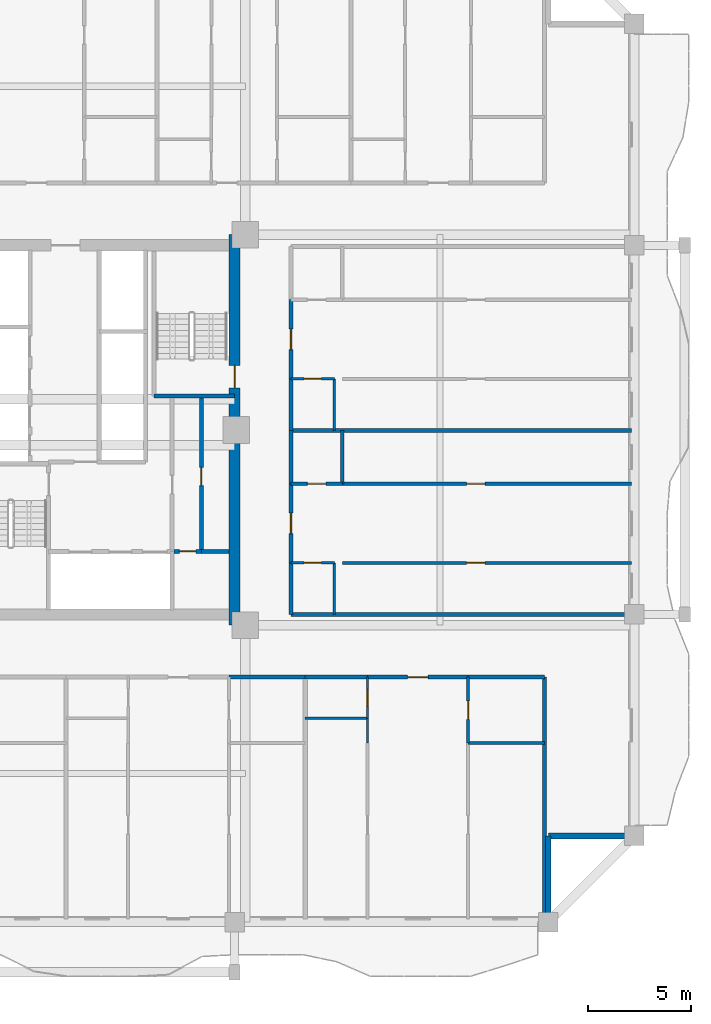
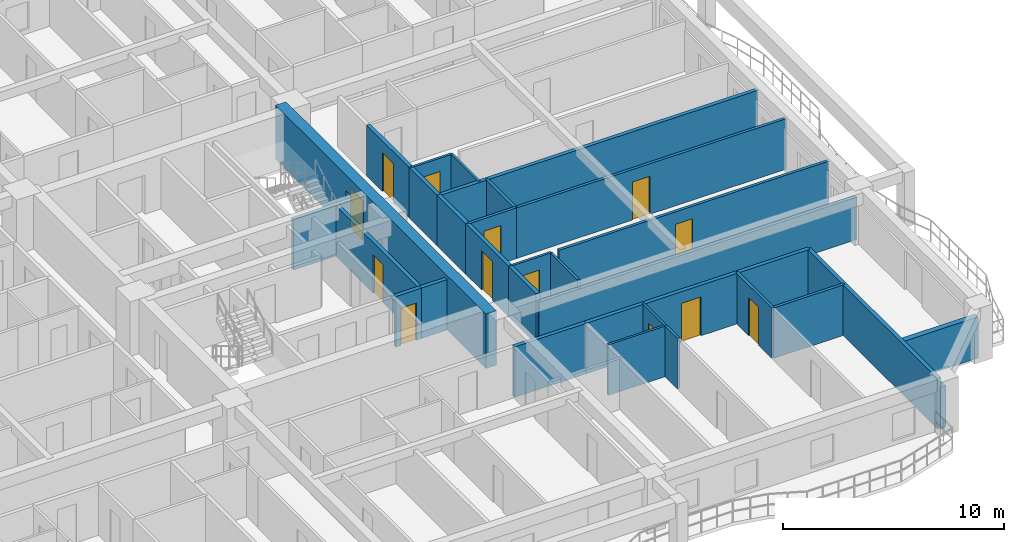
# One storey, part 5 of 14: 32 walls, 13 doors, 13 openings.
"""IFC4 building model written with IfcOpenShell, lengths in metres."""

from ifc_helpers import new_model, si_unit, direction, frame, frame_2d, origin, place, context, subcontext, project, spatial, rectangle, extrude, source, transform, mapped, material, layer, layer_set, type_object, element, fill, save


model = new_model("IFC4")

# Units and contexts
model_context = context("Model", 3, precision=1e-05, world=origin(), true_north=direction((0.0, 1.0)))
body_context = subcontext(model_context, "Body", "Model", "MODEL_VIEW")
ifc_project = project(units=[si_unit("LENGTHUNIT", "METRE"), si_unit("AREAUNIT", "SQUARE_METRE"), si_unit("VOLUMEUNIT", "CUBIC_METRE"), si_unit("PLANEANGLEUNIT", "RADIAN"), si_unit("MASSUNIT", "GRAM", prefix="KILO")], contexts=[model_context])

# Site, building, storey
site_placement = place(None, origin())
site = spatial("IfcSite", under=ifc_project, at=site_placement, CompositionType="ELEMENT")
building_placement = place(site_placement, origin())
building = spatial("IfcBuilding", under=site, at=building_placement, Name="Saelheon Loggia Tower", CompositionType="ELEMENT")
storey_placement = place(building_placement, frame((0.0, 0.0, 86.85009765625)))
storey = spatial("IfcBuildingStorey", under=building, at=storey_placement, Name="L27", CompositionType="ELEMENT", Elevation=86.85009765625)

# Wall, opening, door
ifc_material_1 = material(Name="Concrete C50/60", Category="concrete")
ifc_layer_1 = layer(ifc_material_1, 0.550048828125)
ifc_layer_set_1 = layer_set([ifc_layer_1], Name="Concrete C50/60")
wall_type_1 = type_object("IfcWallType", Name="Wall_CoreShear_550", PredefinedType="SHEAR", material=ifc_layer_set_1)
wall_1_placement = place(storey_placement, frame((44.5, 17.47998046875, 0.0), z_axis=(0.0, 0.0, 1.0), x_axis=(0.0, 1.0, 0.0)))
wall_1 = element("IfcWall", 1, at=wall_1_placement, inside=storey, type_object=wall_type_1, Name="L27 Core Shear Wall East", PredefinedType="SHEAR", context=body_context, shape_type="SweptSolid", body=[
    extrude(rectangle(XDim=19.0400390625, YDim=0.550048828125, at=frame_2d((9.52001953125, 0.0))), origin(), (0.0, 0.0, 1.0), 3.0),
])
opening_1_placement = place(wall_1_placement, frame((12.670166015625, 0.0, 0.0), z_axis=(0.0, 0.0, 1.0), x_axis=(-1.0, 0.0, 0.0)))
opening_1 = element("IfcOpeningElement", 2, at=opening_1_placement, cuts=wall_1, Name="Opening D-FD2", PredefinedType="OPENING", context=body_context, shape_type="SweptSolid", body=[
    extrude(rectangle(XDim=1.10009765625, YDim=2.14990234375, at=frame_2d((0.550048828125, 1.074951171875))), frame((0.0, 0.287109375, 0.0), z_axis=(0.0, -1.0, 0.0), x_axis=(1.0, 0.0, 0.0)), (0.0, 0.0, 1.0), 0.573974609375),
])
ifc_material_2 = material(Name="Galvanised Steel Fire Door", Category="steel")
door_type_1 = type_object("IfcDoorType", Name="Door_Fire_FD60_1100", OperationType="NOTDEFINED", PredefinedType="DOOR", material=ifc_material_2)
shared_shape_1 = source(origin(), body_context, "Body", "SweptSolid", [
    extrude(rectangle(XDim=1.10009765625, YDim=2.14990234375, at=frame_2d((0.550048828125, 1.074951171875))), frame((0.0, 0.02490234375, 0.0), z_axis=(0.0, -1.0, 0.0), x_axis=(1.0, 0.0, 0.0)), (0.0, 0.0, 1.0), 0.050048828125),
])
door_1_placement = place(opening_1_placement, origin())
door_1 = element("IfcDoor", 3, at=door_1_placement, inside=storey, type_object=door_type_1, Name="L27 Stair ST2 Corridor Door", OperationType="SINGLE_SWING_RIGHT", OverallHeight=2.14990234375, OverallWidth=1.10009765625, PredefinedType="DOOR", context=body_context, shape_type="MappedRepresentation", body=[
    mapped(shared_shape_1, transform((0.0, 0.0, 0.0), scale=1.0)),
])
fill(opening_1, door_1)

# Walls
ifc_material_3 = material(Name="Architectural Precast Concrete C40/50", Category="concrete")
ifc_layer_2 = layer(ifc_material_3, 0.280029296875)
ifc_layer_set_2 = layer_set([ifc_layer_2], Name="Architectural Precast Concrete C40/50")
wall_type_2 = type_object("IfcWallType", Name="Wall_Ext_Loggia_280", PredefinedType="SOLIDWALL", material=ifc_layer_set_2)
for number, where, z_axis, x_axis, name in (
    (4, (59.800048828125, 3.080078125, 0.0), (0.0, 0.0, 1.0), (0.0, 1.0, 0.0), "L27 Corner Notch Precast Wall SE1"),
    (5, (59.800048828125, 7.199951171875, 0.0), (0.0, 0.0, 1.0), (1.0, 0.0, 0.0), "L27 Corner Notch Precast Wall SE2"),
):
    element("IfcWall", number, at=place(storey_placement, frame(where, z_axis=z_axis, x_axis=x_axis)), inside=storey, type_object=wall_type_2, Name=name, PredefinedType="SOLIDWALL", context=body_context, shape_type="SweptSolid", body=[
        extrude(rectangle(XDim=4.119873046875, YDim=0.280029296875, at=frame_2d((2.06005859375, 0.0))), origin(), (0.0, 0.0, 1.0), 2.27978515625),
    ])
ifc_material_4 = material(Name="Lightweight Autoclaved Aerated Concrete Block and Acoustic Gypsum", Category="concrete")
ifc_layer_3 = layer(ifc_material_4, 0.14990234375)
ifc_layer_set_3 = layer_set([ifc_layer_3], Name="Lightweight Autoclaved Aerated Concrete Block and Acoustic Gypsum")
wall_type_3 = type_object("IfcWallType", Name="Wall_Part_150", PredefinedType="PARTITIONING", material=ifc_layer_set_3)
wall_2_placement = place(storey_placement, frame((55.884033203125, 11.72998046875, 0.0), z_axis=(0.0, 0.0, 1.0), x_axis=(1.0, 0.0, 0.0)))
element("IfcWall", 6, at=wall_2_placement, inside=storey, type_object=wall_type_3, Name="L27 S Partition V40", PredefinedType="PARTITIONING", context=body_context, shape_type="SweptSolid", body=[
    extrude(rectangle(XDim=3.736083984375, YDim=0.14990234375, at=frame_2d((1.8681640625, 0.0))), origin(), (0.0, 0.0, 1.0), 2.789794921875),
])

# Wall, opening, door
wall_3_placement = place(storey_placement, frame((55.884033203125, 14.949951171875, 0.0), z_axis=(0.0, 0.0, 1.0), x_axis=(0.0, -1.0, 0.0)))
wall_3 = element("IfcWall", 7, at=wall_3_placement, inside=storey, type_object=wall_type_3, Name="L27 S Partition U44", PredefinedType="PARTITIONING", context=body_context, shape_type="SweptSolid", body=[
    extrude(rectangle(XDim=3.219970703125, YDim=0.14990234375, at=frame_2d((1.60986328125, 0.0))), origin(), (0.0, 0.0, 1.0), 2.789794921875),
])
opening_2_placement = place(wall_3_placement, frame((1.159912109375, 0.0, 0.0)))
opening_2 = element("IfcOpeningElement", 8, at=opening_2_placement, cuts=wall_3, Name="Opening D-IN2", PredefinedType="OPENING", context=body_context, shape_type="SweptSolid", body=[
    extrude(rectangle(XDim=0.89990234375, YDim=2.10009765625, at=frame_2d((0.449951171875, 1.050048828125))), frame((0.0, 0.0869140625, 0.0), z_axis=(0.0, -1.0, 0.0), x_axis=(1.0, 0.0, 0.0)), (0.0, 0.0, 1.0), 0.173828125),
])
ifc_material_5 = material(Name="Engineered Oak Flush Door", Category="timber")
door_type_2 = type_object("IfcDoorType", Name="Door_Int_900", OperationType="NOTDEFINED", PredefinedType="DOOR", material=ifc_material_5)
shared_shape_2 = source(origin(), body_context, "Body", "SweptSolid", [
    extrude(rectangle(XDim=0.89990234375, YDim=2.10009765625, at=frame_2d((0.449951171875, 1.050048828125))), frame((0.0, 0.02490234375, 0.0), z_axis=(0.0, -1.0, 0.0), x_axis=(1.0, 0.0, 0.0)), (0.0, 0.0, 1.0), 0.050048828125),
])
door_2_placement = place(opening_2_placement, origin())
door_2 = element("IfcDoor", 9, at=door_2_placement, inside=storey, type_object=door_type_2, Name="Unit U04 Kitchen Door", OperationType="SINGLE_SWING_LEFT", OverallHeight=2.10009765625, OverallWidth=0.89990234375, PredefinedType="DOOR", context=body_context, shape_type="MappedRepresentation", body=[
    mapped(shared_shape_2, transform((0.0, 0.0, 0.0), scale=1.0)),
])
fill(opening_2, door_2)

# Wall
wall_4_placement = place(storey_placement, frame((49.75, 24.375, 0.0), z_axis=(0.0, 0.0, 1.0), x_axis=(0.0, 1.0, 0.0)))
element("IfcWall", 10, at=wall_4_placement, inside=storey, type_object=wall_type_3, Name="L27 E Partition V07", PredefinedType="PARTITIONING", context=body_context, shape_type="SweptSolid", body=[
    extrude(rectangle(XDim=2.60009765625, YDim=0.14990234375, at=frame_2d((1.300048828125, 0.0))), origin(), (0.0, 0.0, 1.0), 2.789794921875),
])

# Wall, opening, door
wall_5_placement = place(storey_placement, frame((49.75, 20.512939453125, 0.0), z_axis=(0.0, 0.0, 1.0), x_axis=(1.0, 0.0, 0.0)))
wall_5 = element("IfcWall", 11, at=wall_5_placement, inside=storey, type_object=wall_type_3, Name="L27 E Partition U09", PredefinedType="PARTITIONING", context=body_context, shape_type="SweptSolid", body=[
    extrude(rectangle(XDim=14.10009765625, YDim=0.14990234375, at=frame_2d((7.050048828125, 0.0))), origin(), (0.0, 0.0, 1.0), 2.789794921875),
])
opening_3_placement = place(wall_5_placement, frame((6.070068359375, 0.0, 0.0)))
opening_3 = element("IfcOpeningElement", 12, at=opening_3_placement, cuts=wall_5, Name="Opening D-IN2", PredefinedType="OPENING", context=body_context, shape_type="SweptSolid", body=[
    extrude(rectangle(XDim=0.89990234375, YDim=2.10009765625, at=frame_2d((0.449951171875, 1.050048828125))), frame((0.0, 0.0869140625, 0.0), z_axis=(0.0, -1.0, 0.0), x_axis=(1.0, 0.0, 0.0)), (0.0, 0.0, 1.0), 0.173828125),
])
door_3_placement = place(opening_3_placement, origin())
door_3 = element("IfcDoor", 13, at=door_3_placement, inside=storey, type_object=door_type_2, Name="Unit U12 Kitchen Door", OperationType="SINGLE_SWING_RIGHT", OverallHeight=2.10009765625, OverallWidth=0.89990234375, PredefinedType="DOOR", context=body_context, shape_type="MappedRepresentation", body=[
    mapped(shared_shape_2, transform((0.0, 0.0, 0.0), scale=1.0)),
])
fill(opening_3, door_3)

wall_6_placement = place(storey_placement, frame((47.25, 24.375, 0.0), z_axis=(0.0, 0.0, 1.0), x_axis=(1.0, 0.0, 0.0)))
wall_6 = element("IfcWall", 14, at=wall_6_placement, inside=storey, type_object=wall_type_3, Name="L27 E Partition U10", PredefinedType="PARTITIONING", context=body_context, shape_type="SweptSolid", body=[
    extrude(rectangle(XDim=2.5, YDim=0.14990234375, at=frame_2d((1.25, 0.0))), origin(), (0.0, 0.0, 1.0), 2.789794921875),
])
opening_4_placement = place(wall_6_placement, frame((0.800048828125, 0.0, 0.0)))
opening_4 = element("IfcOpeningElement", 15, at=opening_4_placement, cuts=wall_6, Name="Opening D-IN2", PredefinedType="OPENING", context=body_context, shape_type="SweptSolid", body=[
    extrude(rectangle(XDim=0.89990234375, YDim=2.10009765625, at=frame_2d((0.449951171875, 1.050048828125))), frame((0.0, 0.0869140625, 0.0), z_axis=(0.0, -1.0, 0.0), x_axis=(1.0, 0.0, 0.0)), (0.0, 0.0, 1.0), 0.173828125),
])
door_4_placement = place(opening_4_placement, origin())
door_4 = element("IfcDoor", 16, at=door_4_placement, inside=storey, type_object=door_type_2, Name="Unit U12 Dressing Closet Door", OperationType="SINGLE_SWING_LEFT", OverallHeight=2.10009765625, OverallWidth=0.89990234375, PredefinedType="DOOR", context=body_context, shape_type="MappedRepresentation", body=[
    mapped(shared_shape_2, transform((0.0, 0.0, 0.0), scale=1.0)),
])
fill(opening_4, door_4)

wall_7_placement = place(storey_placement, frame((49.75, 24.375, 0.0), z_axis=(0.0, 0.0, 1.0), x_axis=(1.0, 0.0, 0.0)))
wall_7 = element("IfcWall", 17, at=wall_7_placement, inside=storey, type_object=wall_type_3, Name="L27 E Partition U11", PredefinedType="PARTITIONING", context=body_context, shape_type="SweptSolid", body=[
    extrude(rectangle(XDim=14.10009765625, YDim=0.14990234375, at=frame_2d((7.050048828125, 0.0))), origin(), (0.0, 0.0, 1.0), 2.789794921875),
])
opening_5_placement = place(wall_7_placement, frame((6.070068359375, 0.0, 0.0)))
opening_5 = element("IfcOpeningElement", 18, at=opening_5_placement, cuts=wall_7, Name="Opening D-IN2", PredefinedType="OPENING", context=body_context, shape_type="SweptSolid", body=[
    extrude(rectangle(XDim=0.89990234375, YDim=2.10009765625, at=frame_2d((0.449951171875, 1.050048828125))), frame((0.0, 0.0869140625, 0.0), z_axis=(0.0, -1.0, 0.0), x_axis=(1.0, 0.0, 0.0)), (0.0, 0.0, 1.0), 0.173828125),
])
door_5_placement = place(opening_5_placement, origin())
door_5 = element("IfcDoor", 19, at=door_5_placement, inside=storey, type_object=door_type_2, Name="Unit U12 Bedroom 1 Door", OperationType="SINGLE_SWING_RIGHT", OverallHeight=2.10009765625, OverallWidth=0.89990234375, PredefinedType="DOOR", context=body_context, shape_type="MappedRepresentation", body=[
    mapped(shared_shape_2, transform((0.0, 0.0, 0.0), scale=1.0)),
])
fill(opening_5, door_5)

# Walls
ifc_material_6 = material(Name="Double Acoustic Stud and Fireboard Partition", Category="gypsum")
ifc_layer_4 = layer(ifc_material_6, 0.199951171875)
ifc_layer_set_4 = layer_set([ifc_layer_4], Name="Double Acoustic Stud and Fireboard Partition")
wall_type_4 = type_object("IfcWallType", Name="Wall_Party_200", PredefinedType="PARTITIONING", material=ifc_layer_set_4)
wall_8_placement = place(storey_placement, frame((59.6201171875, 14.949951171875, 0.0), z_axis=(0.0, 0.0, 1.0), x_axis=(0.0, -1.0, 0.0)))
element("IfcWall", 20, at=wall_8_placement, inside=storey, type_object=wall_type_4, Name="L27 S Partition U02", PredefinedType="PARTITIONING", context=body_context, shape_type="SweptSolid", body=[
    extrude(rectangle(XDim=11.800048828125, YDim=0.199951171875, at=frame_2d((5.89990234375, 0.0))), origin(), (0.0, 0.0, 1.0), 2.789794921875),
])
wall_9_placement = place(storey_placement, frame((44.219970703125, 14.949951171875, 0.0), z_axis=(0.0, 0.0, 1.0), x_axis=(1.0, 0.0, 0.0)))
element("IfcWall", 21, at=wall_9_placement, inside=storey, type_object=wall_type_4, Name="L27 S Partition V27", PredefinedType="PARTITIONING", context=body_context, shape_type="SweptSolid", body=[
    extrude(rectangle(XDim=3.725341796875, YDim=0.199951171875, at=frame_2d((1.86279296875, 0.0))), origin(), (0.0, 0.0, 1.0), 2.789794921875),
])
wall_10_placement = place(storey_placement, frame((47.9453125, 14.949951171875, 0.0), z_axis=(0.0, 0.0, 1.0), x_axis=(1.0, 0.0, 0.0)))
element("IfcWall", 22, at=wall_10_placement, inside=storey, type_object=wall_type_4, Name="L27 S Partition V36", PredefinedType="PARTITIONING", context=body_context, shape_type="SweptSolid", body=[
    extrude(rectangle(XDim=3.035400390625, YDim=0.199951171875, at=frame_2d((1.517578125, 0.0))), origin(), (0.0, 0.0, 1.0), 2.789794921875),
])

# Wall, opening, door
wall_11_placement = place(storey_placement, frame((50.980712890625, 14.949951171875, 0.0), z_axis=(0.0, 0.0, 1.0), x_axis=(1.0, 0.0, 0.0)))
wall_11 = element("IfcWall", 23, at=wall_11_placement, inside=storey, type_object=wall_type_4, Name="L27 S Partition V37", PredefinedType="PARTITIONING", context=body_context, shape_type="SweptSolid", body=[
    extrude(rectangle(XDim=4.9033203125, YDim=0.199951171875, at=frame_2d((2.45166015625, 0.0))), origin(), (0.0, 0.0, 1.0), 2.789794921875),
])
opening_6_placement = place(wall_11_placement, frame((1.95166015625, 0.0, 0.0)))
opening_6 = element("IfcOpeningElement", 24, at=opening_6_placement, cuts=wall_11, Name="Opening D-FD1", PredefinedType="OPENING", context=body_context, shape_type="SweptSolid", body=[
    extrude(rectangle(XDim=1.0, YDim=2.14990234375, at=frame_2d((0.5, 1.074951171875))), frame((0.0, 0.112060546875, 0.0), z_axis=(0.0, -1.0, 0.0), x_axis=(1.0, 0.0, 0.0)), (0.0, 0.0, 1.0), 0.223876953125),
])
ifc_material_7 = material(Name="Fire-Rated Engineered Timber Entrance Door", Category="wood")
door_type_3 = type_object("IfcDoorType", Name="Door_Flat_FD30S", OperationType="NOTDEFINED", PredefinedType="DOOR", material=ifc_material_7)
shared_shape_3 = source(origin(), body_context, "Body", "SweptSolid", [
    extrude(rectangle(XDim=1.0, YDim=2.14990234375, at=frame_2d((0.5, 1.074951171875))), frame((0.0, 0.02490234375, 0.0), z_axis=(0.0, -1.0, 0.0), x_axis=(1.0, 0.0, 0.0)), (0.0, 0.0, 1.0), 0.050048828125),
])
door_6_placement = place(opening_6_placement, origin())
door_6 = element("IfcDoor", 25, at=door_6_placement, inside=storey, type_object=door_type_3, Name="Unit U04 Entrance Door", OperationType="SINGLE_SWING_RIGHT", OverallHeight=2.14990234375, OverallWidth=1.0, PredefinedType="DOOR", context=body_context, shape_type="MappedRepresentation", body=[
    mapped(shared_shape_3, transform((0.0, 0.0, 0.0), scale=1.0)),
])
fill(opening_6, door_6)

# Walls
wall_12_placement = place(storey_placement, frame((55.884033203125, 14.949951171875, 0.0), z_axis=(0.0, 0.0, 1.0), x_axis=(1.0, 0.0, 0.0)))
element("IfcWall", 26, at=wall_12_placement, inside=storey, type_object=wall_type_4, Name="L27 S Partition V38", PredefinedType="PARTITIONING", context=body_context, shape_type="SweptSolid", body=[
    extrude(rectangle(XDim=3.736083984375, YDim=0.199951171875, at=frame_2d((1.8681640625, 0.0))), origin(), (0.0, 0.0, 1.0), 2.789794921875),
])
wall_13_placement = place(storey_placement, frame((47.25, 18.0, 0.0), z_axis=(0.0, 0.0, 1.0), x_axis=(1.0, 0.0, 0.0)))
element("IfcWall", 27, at=wall_13_placement, inside=storey, type_object=wall_type_4, Name="L27 E Partition U01", PredefinedType="PARTITIONING", context=body_context, shape_type="SweptSolid", body=[
    extrude(rectangle(XDim=16.60009765625, YDim=0.199951171875, at=frame_2d((8.300048828125, 0.0))), origin(), (0.0, 0.0, 1.0), 2.33984375),
])
wall_14_placement = place(storey_placement, frame((47.25, 18.0, 0.0), z_axis=(0.0, 0.0, 1.0), x_axis=(0.0, 1.0, 0.0)))
element("IfcWall", 28, at=wall_14_placement, inside=storey, type_object=wall_type_4, Name="L27 E Partition V03", PredefinedType="PARTITIONING", context=body_context, shape_type="SweptSolid", body=[
    extrude(rectangle(XDim=2.512939453125, YDim=0.199951171875, at=frame_2d((1.25634765625, 0.0))), origin(), (0.0, 0.0, 1.0), 2.789794921875),
])

# Wall, opening, door
wall_15_placement = place(storey_placement, frame((47.25, 20.512939453125, 0.0), z_axis=(0.0, 0.0, 1.0), x_axis=(0.0, 1.0, 0.0)))
wall_15 = element("IfcWall", 29, at=wall_15_placement, inside=storey, type_object=wall_type_4, Name="L27 E Partition V04", PredefinedType="PARTITIONING", context=body_context, shape_type="SweptSolid", body=[
    extrude(rectangle(XDim=3.862060546875, YDim=0.199951171875, at=frame_2d((1.93115234375, 0.0))), origin(), (0.0, 0.0, 1.0), 2.789794921875),
])
opening_7_placement = place(wall_15_placement, frame((1.430908203125, 0.0, 0.0)))
opening_7 = element("IfcOpeningElement", 30, at=opening_7_placement, cuts=wall_15, Name="Opening D-FD1", PredefinedType="OPENING", context=body_context, shape_type="SweptSolid", body=[
    extrude(rectangle(XDim=1.0, YDim=2.14990234375, at=frame_2d((0.5, 1.074951171875))), frame((0.0, 0.112060546875, 0.0), z_axis=(0.0, -1.0, 0.0), x_axis=(1.0, 0.0, 0.0)), (0.0, 0.0, 1.0), 0.223876953125),
])
door_7_placement = place(opening_7_placement, origin())
door_7 = element("IfcDoor", 31, at=door_7_placement, inside=storey, type_object=door_type_3, Name="Unit U12 Entrance Door", OperationType="SINGLE_SWING_RIGHT", OverallHeight=2.14990234375, OverallWidth=1.0, PredefinedType="DOOR", context=body_context, shape_type="MappedRepresentation", body=[
    mapped(shared_shape_3, transform((0.0, 0.0, 0.0), scale=1.0)),
])
fill(opening_7, door_7)

# Walls
wall_16_placement = place(storey_placement, frame((47.25, 24.375, 0.0), z_axis=(0.0, 0.0, 1.0), x_axis=(0.0, 1.0, 0.0)))
element("IfcWall", 32, at=wall_16_placement, inside=storey, type_object=wall_type_4, Name="L27 E Partition V05", PredefinedType="PARTITIONING", context=body_context, shape_type="SweptSolid", body=[
    extrude(rectangle(XDim=2.60009765625, YDim=0.199951171875, at=frame_2d((1.300048828125, 0.0))), origin(), (0.0, 0.0, 1.0), 2.789794921875),
])
wall_17_placement = place(storey_placement, frame((47.25, 26.97509765625, 0.0), z_axis=(0.0, 0.0, 1.0), x_axis=(1.0, 0.0, 0.0)))
element("IfcWall", 33, at=wall_17_placement, inside=storey, type_object=wall_type_4, Name="L27 E Partition U12", PredefinedType="PARTITIONING", context=body_context, shape_type="SweptSolid", body=[
    extrude(rectangle(XDim=16.60009765625, YDim=0.199951171875, at=frame_2d((8.300048828125, 0.0))), origin(), (0.0, 0.0, 1.0), 2.789794921875),
])
wall_18_placement = place(storey_placement, frame((47.25, 26.97509765625, 0.0), z_axis=(0.0, 0.0, 1.0), x_axis=(0.0, 1.0, 0.0)))
element("IfcWall", 34, at=wall_18_placement, inside=storey, type_object=wall_type_4, Name="L27 E Partition V13", PredefinedType="PARTITIONING", context=body_context, shape_type="SweptSolid", body=[
    extrude(rectangle(XDim=2.512939453125, YDim=0.199951171875, at=frame_2d((1.25634765625, 0.0))), origin(), (0.0, 0.0, 1.0), 2.789794921875),
])

# Wall, opening, door
wall_19_placement = place(storey_placement, frame((47.25, 29.488037109375, 0.0), z_axis=(0.0, 0.0, 1.0), x_axis=(0.0, 1.0, 0.0)))
wall_19 = element("IfcWall", 35, at=wall_19_placement, inside=storey, type_object=wall_type_4, Name="L27 E Partition V14", PredefinedType="PARTITIONING", context=body_context, shape_type="SweptSolid", body=[
    extrude(rectangle(XDim=3.862060546875, YDim=0.199951171875, at=frame_2d((1.93115234375, 0.0))), origin(), (0.0, 0.0, 1.0), 2.789794921875),
])
opening_8_placement = place(wall_19_placement, frame((1.430908203125, 0.0, 0.0)))
opening_8 = element("IfcOpeningElement", 36, at=opening_8_placement, cuts=wall_19, Name="Opening D-FD1", PredefinedType="OPENING", context=body_context, shape_type="SweptSolid", body=[
    extrude(rectangle(XDim=1.0, YDim=2.14990234375, at=frame_2d((0.5, 1.074951171875))), frame((0.0, 0.112060546875, 0.0), z_axis=(0.0, -1.0, 0.0), x_axis=(1.0, 0.0, 0.0)), (0.0, 0.0, 1.0), 0.223876953125),
])
door_8_placement = place(opening_8_placement, origin())
door_8 = element("IfcDoor", 37, at=door_8_placement, inside=storey, type_object=door_type_3, Name="Unit U13 Entrance Door", OperationType="SINGLE_SWING_LEFT", OverallHeight=2.14990234375, OverallWidth=1.0, PredefinedType="DOOR", context=body_context, shape_type="MappedRepresentation", body=[
    mapped(shared_shape_3, transform((0.0, 0.0, 0.0), scale=1.0)),
])
fill(opening_8, door_8)

ifc_material_8 = material(Name="Concrete C40/50", Category="concrete")
ifc_layer_5 = layer(ifc_material_8, 0.199951171875)
ifc_layer_set_5 = layer_set([ifc_layer_5], Name="Concrete C40/50")
wall_type_5 = type_object("IfcWallType", Name="Wall_Shaft_200", PredefinedType="PARTITIONING", material=ifc_layer_set_5)
wall_20_placement = place(storey_placement, frame((41.550048828125, 21.080078125, 0.0), z_axis=(0.0, 0.0, 1.0), x_axis=(1.0, 0.0, 0.0)))
wall_20 = element("IfcWall", 38, at=wall_20_placement, inside=storey, type_object=wall_type_5, Name="CW-BOH-L27-HS", PredefinedType="PARTITIONING", context=body_context, shape_type="SweptSolid", body=[
    extrude(rectangle(XDim=1.329833984375, YDim=0.199951171875, at=frame_2d((0.6650390625, 0.0))), origin(), (0.0, 0.0, 1.0), 2.789794921875),
])
opening_9_placement = place(wall_20_placement, frame((0.260009765625, 0.0, 0.0)))
opening_9 = element("IfcOpeningElement", 39, at=opening_9_placement, cuts=wall_20, Name="Opening D-ST1", PredefinedType="OPENING", context=body_context, shape_type="SweptSolid", body=[
    extrude(rectangle(XDim=0.800048828125, YDim=2.050048828125, at=frame_2d((0.39990234375, 1.02490234375))), frame((0.0, 0.112060546875, 0.0), z_axis=(0.0, -1.0, 0.0), x_axis=(1.0, 0.0, 0.0)), (0.0, 0.0, 1.0), 0.223876953125),
])
ifc_material_9 = material(Name="Powder-Coated Steel Store Door", Category="steel")
door_type_4 = type_object("IfcDoorType", Name="Door_Store_800", OperationType="NOTDEFINED", PredefinedType="DOOR", material=ifc_material_9)
shared_shape_4 = source(origin(), body_context, "Body", "SweptSolid", [
    extrude(rectangle(XDim=0.800048828125, YDim=2.050048828125, at=frame_2d((0.39990234375, 1.02490234375))), frame((0.0, 0.02490234375, 0.0), z_axis=(0.0, -1.0, 0.0), x_axis=(1.0, 0.0, 0.0)), (0.0, 0.0, 1.0), 0.050048828125),
])
door_9_placement = place(opening_9_placement, origin())
door_9 = element("IfcDoor", 40, at=door_9_placement, inside=storey, type_object=door_type_4, Name="L27 Electrical Riser Door", OperationType="SINGLE_SWING_RIGHT", OverallHeight=2.050048828125, OverallWidth=0.800048828125, PredefinedType="DOOR", context=body_context, shape_type="MappedRepresentation", body=[
    mapped(shared_shape_4, transform((0.0, 0.0, 0.0), scale=1.0)),
])
fill(opening_9, door_9)

# Wall
wall_21_placement = place(storey_placement, frame((42.8798828125, 21.080078125, 0.0), z_axis=(0.0, 0.0, 1.0), x_axis=(1.0, 0.0, 0.0)))
element("IfcWall", 41, at=wall_21_placement, inside=storey, type_object=wall_type_5, Name="CW-BOH-L27-HS2", PredefinedType="PARTITIONING", context=body_context, shape_type="SweptSolid", body=[
    extrude(rectangle(XDim=1.340087890625, YDim=0.199951171875, at=frame_2d((0.669921875, 0.0))), origin(), (0.0, 0.0, 1.0), 2.789794921875),
])

# Wall, opening, door
wall_22_placement = place(storey_placement, frame((42.8798828125, 21.080078125, 0.0), z_axis=(0.0, 0.0, 1.0), x_axis=(0.0, 1.0, 0.0)))
wall_22 = element("IfcWall", 42, at=wall_22_placement, inside=storey, type_object=wall_type_5, Name="CW-BOH-L27-VS", PredefinedType="PARTITIONING", context=body_context, shape_type="SweptSolid", body=[
    extrude(rectangle(XDim=7.469970703125, YDim=0.199951171875, at=frame_2d((3.73486328125, 0.0))), origin(), (0.0, 0.0, 1.0), 2.789794921875),
])
opening_10_placement = place(wall_22_placement, frame((3.199951171875, 0.0, 0.0)))
opening_10 = element("IfcOpeningElement", 43, at=opening_10_placement, cuts=wall_22, Name="Opening D-RS1", PredefinedType="OPENING", context=body_context, shape_type="SweptSolid", body=[
    extrude(rectangle(XDim=0.89990234375, YDim=2.10009765625, at=frame_2d((0.449951171875, 1.050048828125))), frame((0.0, 0.112060546875, 0.0), z_axis=(0.0, -1.0, 0.0), x_axis=(1.0, 0.0, 0.0)), (0.0, 0.0, 1.0), 0.223876953125),
])
ifc_material_10 = material(Name="Galvanised Steel Riser Access Door", Category="steel")
door_type_5 = type_object("IfcDoorType", Name="Door_Riser_FD60", OperationType="NOTDEFINED", PredefinedType="DOOR", material=ifc_material_10)
door_10_placement = place(opening_10_placement, origin())
door_10 = element("IfcDoor", 44, at=door_10_placement, inside=storey, type_object=door_type_5, Name="L27 Linen Store Door", OperationType="SINGLE_SWING_LEFT", OverallHeight=2.10009765625, OverallWidth=0.89990234375, PredefinedType="DOOR", context=body_context, shape_type="MappedRepresentation", body=[
    mapped(shared_shape_2, transform((0.0, 0.0, 0.0), scale=1.0)),
])
fill(opening_10, door_10)

# Walls
ifc_material_11 = material(Name="Concrete C45/55", Category="concrete")
ifc_layer_6 = layer(ifc_material_11, 0.199951171875)
ifc_layer_set_6 = layer_set([ifc_layer_6], Name="Concrete C45/55")
wall_type_6 = type_object("IfcWallType", Name="Wall_StairShaft_RC200", PredefinedType="SOLIDWALL", material=ifc_layer_set_6)
wall_23_placement = place(storey_placement, frame((40.570068359375, 28.64990234375, 0.0), z_axis=(0.0, 0.0, 1.0), x_axis=(1.0, 0.0, 0.0)))
element("IfcWall", 45, at=wall_23_placement, inside=storey, type_object=wall_type_6, Name="L27 Stair ST2 South Wall", PredefinedType="SOLIDWALL", context=body_context, shape_type="SweptSolid", body=[
    extrude(rectangle(XDim=3.929931640625, YDim=0.199951171875, at=frame_2d((1.96484375, 0.0))), origin(), (0.0, 0.0, 1.0), 2.789794921875),
])
ifc_material_12 = material(Name="Moisture-Resistant Cement Board Partition", Category="gypsum")
ifc_layer_7 = layer(ifc_material_12, 0.1201171875)
ifc_layer_set_7 = layer_set([ifc_layer_7], Name="Moisture-Resistant Cement Board Partition")
wall_type_7 = type_object("IfcWallType", Name="Wall_WetPart_120", PredefinedType="PARTITIONING", material=ifc_layer_set_7)
wall_24_placement = place(storey_placement, frame((47.9453125, 12.929931640625, 0.0), z_axis=(0.0, 0.0, 1.0), x_axis=(1.0, 0.0, 0.0)))
element("IfcWall", 46, at=wall_24_placement, inside=storey, type_object=wall_type_7, Name="L27 S Partition V39", PredefinedType="PARTITIONING", context=body_context, shape_type="SweptSolid", body=[
    extrude(rectangle(XDim=3.035400390625, YDim=0.1201171875, at=frame_2d((1.517578125, 0.0))), origin(), (0.0, 0.0, 1.0), 2.789794921875),
])

# Wall, opening, door
wall_25_placement = place(storey_placement, frame((50.980712890625, 14.949951171875, 0.0), z_axis=(0.0, 0.0, 1.0), x_axis=(0.0, -1.0, 0.0)))
wall_25 = element("IfcWall", 47, at=wall_25_placement, inside=storey, type_object=wall_type_7, Name="L27 S Partition U41", PredefinedType="PARTITIONING", context=body_context, shape_type="SweptSolid", body=[
    extrude(rectangle(XDim=2.02001953125, YDim=0.1201171875, at=frame_2d((1.010009765625, 0.0))), origin(), (0.0, 0.0, 1.0), 2.789794921875),
])
opening_11_placement = place(wall_25_placement, frame((0.5849609375, 0.0, 0.0)))
opening_11 = element("IfcOpeningElement", 48, at=opening_11_placement, cuts=wall_25, Name="Opening D-BT1", PredefinedType="OPENING", context=body_context, shape_type="SweptSolid", body=[
    extrude(rectangle(XDim=0.85009765625, YDim=2.050048828125, at=frame_2d((0.425048828125, 1.02490234375))), frame((0.0, 0.072021484375, 0.0), z_axis=(0.0, -1.0, 0.0), x_axis=(1.0, 0.0, 0.0)), (0.0, 0.0, 1.0), 0.14404296875),
])
ifc_material_13 = material(Name="Moisture-Resistant Laminate Timber Door", Category="wood")
door_type_6 = type_object("IfcDoorType", Name="Door_Bath_850", OperationType="NOTDEFINED", PredefinedType="DOOR", material=ifc_material_13)
shared_shape_5 = source(origin(), body_context, "Body", "SweptSolid", [
    extrude(rectangle(XDim=0.85009765625, YDim=2.050048828125, at=frame_2d((0.425048828125, 1.02490234375))), frame((0.0, 0.02490234375, 0.0), z_axis=(0.0, -1.0, 0.0), x_axis=(1.0, 0.0, 0.0)), (0.0, 0.0, 1.0), 0.050048828125),
])
door_11_placement = place(opening_11_placement, origin())
door_11 = element("IfcDoor", 49, at=door_11_placement, inside=storey, type_object=door_type_6, Name="Unit U04 Bathroom Door", OperationType="SINGLE_SWING_LEFT", OverallHeight=2.050048828125, OverallWidth=0.85009765625, PredefinedType="DOOR", context=body_context, shape_type="MappedRepresentation", body=[
    mapped(shared_shape_5, transform((0.0, 0.0, 0.0), scale=1.0)),
])
fill(opening_11, door_11)

# Walls
wall_26_placement = place(storey_placement, frame((50.980712890625, 12.929931640625, 0.0), z_axis=(0.0, 0.0, 1.0), x_axis=(0.0, -1.0, 0.0)))
element("IfcWall", 50, at=wall_26_placement, inside=storey, type_object=wall_type_7, Name="L27 S Partition U42", PredefinedType="PARTITIONING", context=body_context, shape_type="SweptSolid", body=[
    extrude(rectangle(XDim=1.199951171875, YDim=0.1201171875, at=frame_2d((0.60009765625, 0.0))), origin(), (0.0, 0.0, 1.0), 2.789794921875),
])
wall_27_placement = place(storey_placement, frame((49.3701171875, 18.0, 0.0), z_axis=(0.0, 0.0, 1.0), x_axis=(0.0, 1.0, 0.0)))
element("IfcWall", 51, at=wall_27_placement, inside=storey, type_object=wall_type_7, Name="L27 E Partition V06", PredefinedType="PARTITIONING", context=body_context, shape_type="SweptSolid", body=[
    extrude(rectangle(XDim=2.512939453125, YDim=0.1201171875, at=frame_2d((1.25634765625, 0.0))), origin(), (0.0, 0.0, 1.0), 2.789794921875),
])

# Wall, opening, door
wall_28_placement = place(storey_placement, frame((47.25, 20.512939453125, 0.0), z_axis=(0.0, 0.0, 1.0), x_axis=(1.0, 0.0, 0.0)))
wall_28 = element("IfcWall", 52, at=wall_28_placement, inside=storey, type_object=wall_type_7, Name="L27 E Partition U08", PredefinedType="PARTITIONING", context=body_context, shape_type="SweptSolid", body=[
    extrude(rectangle(XDim=2.1201171875, YDim=0.1201171875, at=frame_2d((1.06005859375, 0.0))), origin(), (0.0, 0.0, 1.0), 2.789794921875),
])
opening_12_placement = place(wall_28_placement, frame((0.635009765625, 0.0, 0.0)))
opening_12 = element("IfcOpeningElement", 53, at=opening_12_placement, cuts=wall_28, Name="Opening D-BT1", PredefinedType="OPENING", context=body_context, shape_type="SweptSolid", body=[
    extrude(rectangle(XDim=0.85009765625, YDim=2.050048828125, at=frame_2d((0.425048828125, 1.02490234375))), frame((0.0, 0.072021484375, 0.0), z_axis=(0.0, -1.0, 0.0), x_axis=(1.0, 0.0, 0.0)), (0.0, 0.0, 1.0), 0.14404296875),
])
door_12_placement = place(opening_12_placement, origin())
door_12 = element("IfcDoor", 54, at=door_12_placement, inside=storey, type_object=door_type_6, Name="Unit U12 Bathroom Door", OperationType="SINGLE_SWING_LEFT", OverallHeight=2.050048828125, OverallWidth=0.85009765625, PredefinedType="DOOR", context=body_context, shape_type="MappedRepresentation", body=[
    mapped(shared_shape_5, transform((0.0, 0.0, 0.0), scale=1.0)),
])
fill(opening_12, door_12)

# Wall
wall_29_placement = place(storey_placement, frame((49.3701171875, 26.97509765625, 0.0), z_axis=(0.0, 0.0, 1.0), x_axis=(0.0, 1.0, 0.0)))
element("IfcWall", 55, at=wall_29_placement, inside=storey, type_object=wall_type_7, Name="L27 E Partition V16", PredefinedType="PARTITIONING", context=body_context, shape_type="SweptSolid", body=[
    extrude(rectangle(XDim=2.512939453125, YDim=0.1201171875, at=frame_2d((1.25634765625, 0.0))), origin(), (0.0, 0.0, 1.0), 2.789794921875),
])

# Wall, opening, door
wall_30_placement = place(storey_placement, frame((47.25, 29.488037109375, 0.0), z_axis=(0.0, 0.0, 1.0), x_axis=(1.0, 0.0, 0.0)))
wall_30 = element("IfcWall", 56, at=wall_30_placement, inside=storey, type_object=wall_type_7, Name="L27 E Partition U18", PredefinedType="PARTITIONING", context=body_context, shape_type="SweptSolid", body=[
    extrude(rectangle(XDim=2.1201171875, YDim=0.1201171875, at=frame_2d((1.06005859375, 0.0))), origin(), (0.0, 0.0, 1.0), 2.789794921875),
])
opening_13_placement = place(wall_30_placement, frame((0.635009765625, 0.0, 0.0)))
opening_13 = element("IfcOpeningElement", 57, at=opening_13_placement, cuts=wall_30, Name="Opening D-BT1", PredefinedType="OPENING", context=body_context, shape_type="SweptSolid", body=[
    extrude(rectangle(XDim=0.85009765625, YDim=2.050048828125, at=frame_2d((0.425048828125, 1.02490234375))), frame((0.0, 0.072021484375, 0.0), z_axis=(0.0, -1.0, 0.0), x_axis=(1.0, 0.0, 0.0)), (0.0, 0.0, 1.0), 0.14404296875),
])
door_13_placement = place(opening_13_placement, origin())
door_13 = element("IfcDoor", 58, at=door_13_placement, inside=storey, type_object=door_type_6, Name="Unit U13 Bathroom Door", OperationType="SINGLE_SWING_RIGHT", OverallHeight=2.050048828125, OverallWidth=0.85009765625, PredefinedType="DOOR", context=body_context, shape_type="MappedRepresentation", body=[
    mapped(shared_shape_5, transform((0.0, 0.0, 0.0), scale=1.0)),
])
fill(opening_13, door_13)

save(model, "model.ifc")
